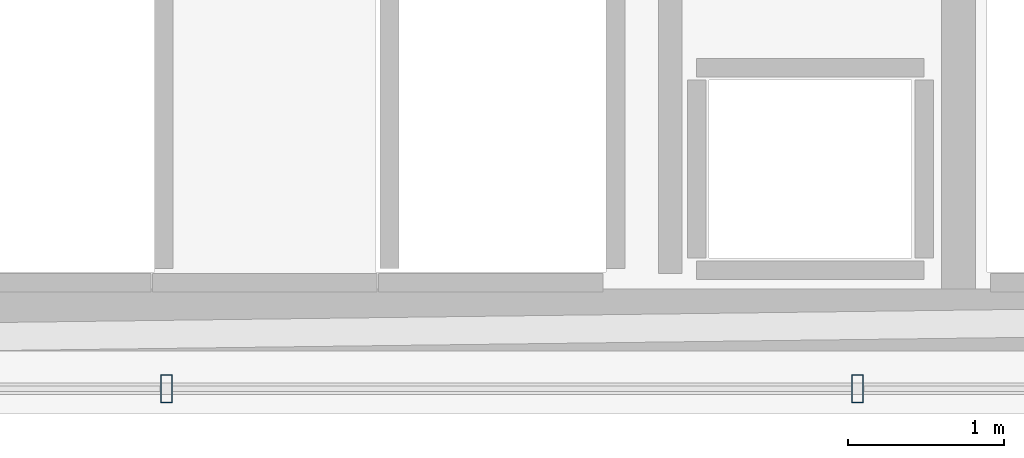
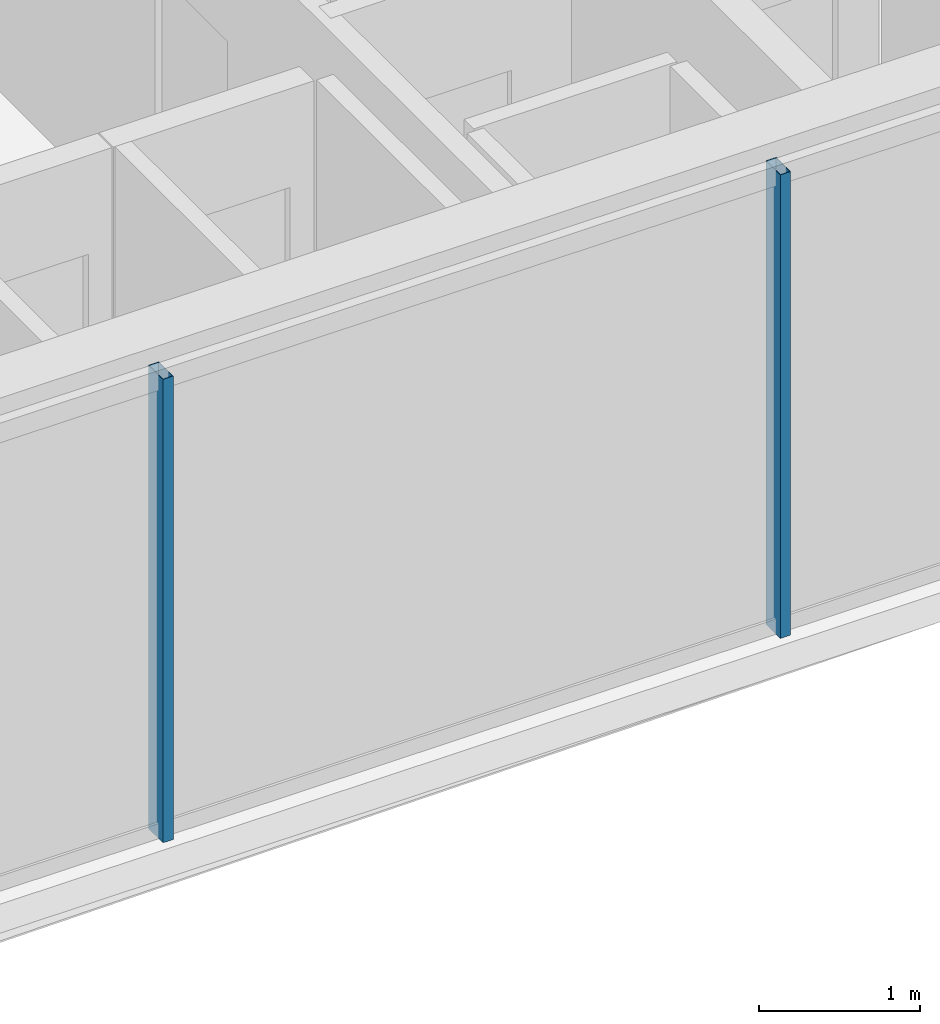
# One storey, part 11 of 35: 2 members, 1 element without a shape of its own.
"""IFC4 building model written with IfcOpenShell, lengths in metres."""

from ifc_helpers import new_model, si_unit, direction, frame, origin, origin_2d, place, context, subcontext, project, spatial, hollow_rectangle, extrude, material, layer, layer_set, material_profile, profile_set, type_object, element, aggregate, save


model = new_model("IFC4")

# Units and contexts
model_context = context("Model", 3, precision=1e-05, world=origin(), true_north=direction((0.0, 1.0)))
body_context = subcontext(model_context, "Body", "Model", "MODEL_VIEW")
ifc_project = project(units=[si_unit("LENGTHUNIT", "METRE"), si_unit("AREAUNIT", "SQUARE_METRE"), si_unit("VOLUMEUNIT", "CUBIC_METRE"), si_unit("PLANEANGLEUNIT", "RADIAN"), si_unit("MASSUNIT", "GRAM", prefix="KILO")], contexts=[model_context])

# Site, building, storey
site_placement = place(None, origin())
site = spatial("IfcSite", under=ifc_project, at=site_placement, CompositionType="ELEMENT")
building_placement = place(site_placement, origin())
building = spatial("IfcBuilding", under=site, at=building_placement, Name="Ndaravel Arena Tower", CompositionType="ELEMENT")
storey_placement = place(building_placement, frame((0.0, 0.0, 275.0)))
storey = spatial("IfcBuildingStorey", under=building, at=storey_placement, Name="L67", CompositionType="ELEMENT", Elevation=275.0)

# Curtain wall, members
ifc_material_1 = material(Name="Aluminium", Category="aluminium")
ifc_layer = layer(ifc_material_1, 0.179931640625)
ifc_layer_set = layer_set([ifc_layer], Name="Aluminium")
curtain_wall_type = type_object("IfcCurtainWallType", Name="CW-SYS-03", PredefinedType="NOTDEFINED", material=ifc_layer_set)
curtain_wall_placement = place(storey_placement, origin())
curtain_wall = element("IfcCurtainWall", 1, at=curtain_wall_placement, inside=storey, type_object=curtain_wall_type, Name="L67 Faceted Crystal Curtain Wall CW-L67-E01", PredefinedType="NOTDEFINED")
ifc_material_2 = material(Name="Aluminium", Category="aluminium")
ifc_material_profile = material_profile(ifc_material_2, hollow_rectangle(XDim=0.074951171875, YDim=0.179931640625, WallThickness=0.00390625, at=origin_2d()), Name="CW MULLION 75x180x4")
ifc_profile_set = profile_set([ifc_material_profile], Name="Aluminium")
member_type = type_object("IfcMemberType", Name="MEM-CW-MUL180", PredefinedType="MULLION", material=ifc_profile_set)
member_1_placement = place(storey_placement, frame((44.2177734375, 5.159912109375, 0.0), z_axis=(0.0, 0.0, 1.0), x_axis=(1.0, 0.0, 0.0)))
member_1 = element("IfcMember", 2, at=member_1_placement, type_object=member_type, Name="CW-L67-E01 Mullion 05", PredefinedType="MULLION", context=body_context, shape_type="SweptSolid", body=[
    extrude(hollow_rectangle(XDim=0.074951171875, YDim=0.179931640625, WallThickness=0.00390625, at=origin_2d()), origin(), (0.0, 0.0, 1.0), 3.52001953125),
])
member_2_placement = place(storey_placement, frame((48.653076171875, 5.159912109375, 0.0), z_axis=(0.0, 0.0, 1.0), x_axis=(1.0, 0.0, 0.0)))
member_2 = element("IfcMember", 3, at=member_2_placement, type_object=member_type, Name="CW-L67-E01 Mullion 06", PredefinedType="MULLION", context=body_context, shape_type="SweptSolid", body=[
    extrude(hollow_rectangle(XDim=0.074951171875, YDim=0.179931640625, WallThickness=0.00390625, at=origin_2d()), origin(), (0.0, 0.0, 1.0), 3.52001953125),
])
aggregate(curtain_wall, [member_1, member_2])

save(model, "model.ifc")
